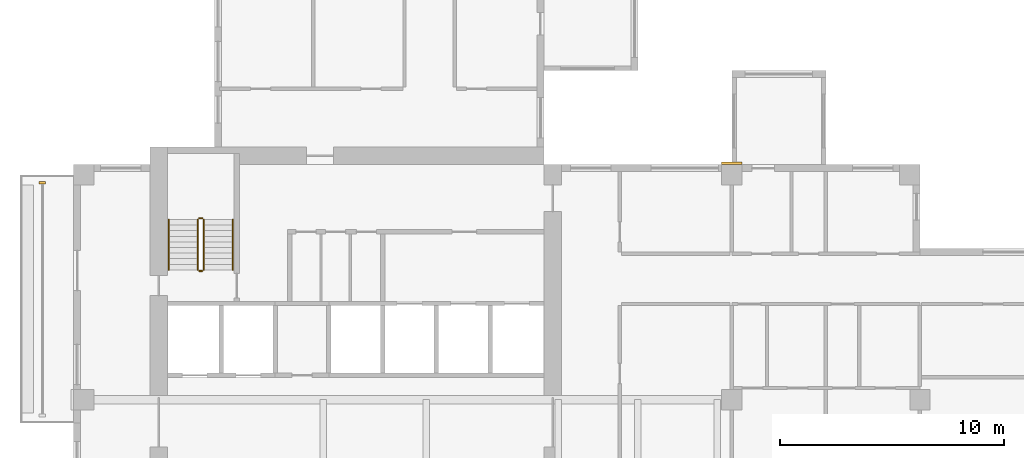
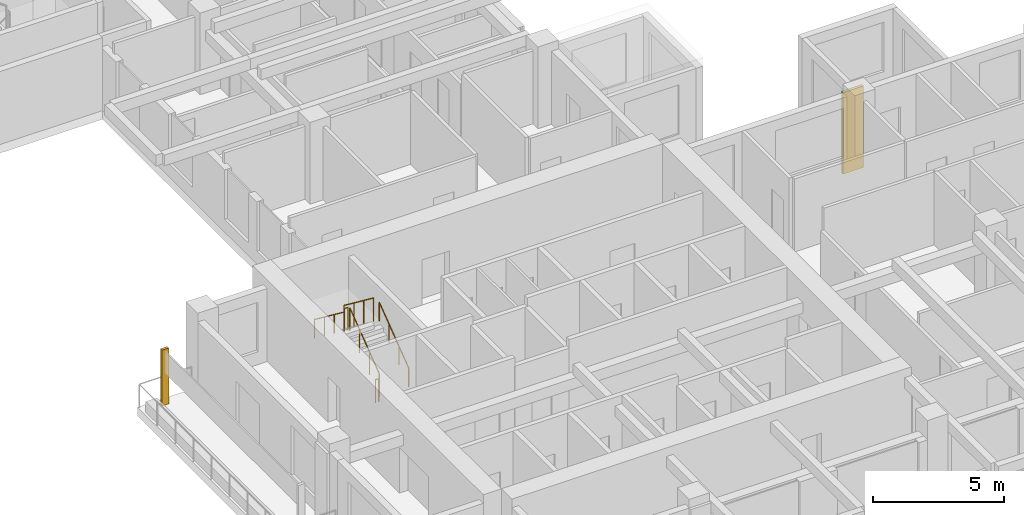
# One storey, part 10 of 12: 6 railings, 2 coverings.
"""IFC4 building model written with IfcOpenShell, lengths in metres."""

from ifc_helpers import new_model, si_unit, direction, frame, origin, origin_2d, place, context, subcontext, project, spatial, rectangle, circle, extrude, source, transform, mapped, material, type_object, element, save


model = new_model("IFC4")

# Units and contexts
model_context = context("Model", 3, precision=1e-05, world=origin(), true_north=direction((0.0, 1.0)))
body_context = subcontext(model_context, "Body", "Model", "MODEL_VIEW")
ifc_project = project(units=[si_unit("LENGTHUNIT", "METRE"), si_unit("AREAUNIT", "SQUARE_METRE"), si_unit("VOLUMEUNIT", "CUBIC_METRE"), si_unit("PLANEANGLEUNIT", "RADIAN"), si_unit("MASSUNIT", "GRAM", prefix="KILO")], contexts=[model_context])

# Site, building, storey
site_placement = place(None, origin())
site = spatial("IfcSite", under=ifc_project, at=site_placement, CompositionType="ELEMENT")
building_placement = place(site_placement, origin())
building = spatial("IfcBuilding", under=site, at=building_placement, Name="Aurelian Terraces", CompositionType="ELEMENT")
storey_placement = place(building_placement, frame((0.0, 0.0, 215.8)))
storey = spatial("IfcBuildingStorey", under=building, at=storey_placement, Name="L48", CompositionType="ELEMENT", Elevation=215.8)

# Coverings
ifc_material_1 = material(Name="Terracotta rainscreen cladding relief", Category="masonry")
covering_type_1 = type_object("IfcCoveringType", Name="FIN-TC", PredefinedType="CLADDING", material=ifc_material_1)
shared_shape_1 = source(origin(), body_context, "Body", "SweptSolid", [
    extrude(rectangle(XDim=0.3, YDim=0.12, at=origin_2d()), origin(), (0.0, 0.0, 1.0), 2.6),
])
covering_1_placement = place(storey_placement, frame((-1.4, 20.2, 0.0), z_axis=(0.0, 0.0, 1.0), x_axis=(1.0, 0.0, 0.0)))
element("IfcCovering", 1, at=covering_1_placement, inside=storey, type_object=covering_type_1, Name="FIN L48 L48-F20-35.1", PredefinedType="CLADDING", context=body_context, shape_type="MappedRepresentation", body=[
    mapped(shared_shape_1, transform((0.0, 0.0, 0.0), scale=1.0)),
])
covering_type_2 = type_object("IfcCoveringType", Name="BAGUETTE-TC", PredefinedType="CLADDING", material=ifc_material_1)
shared_shape_2 = source(origin(), body_context, "Body", "SweptSolid", [
    extrude(rectangle(XDim=0.9, YDim=0.12, at=origin_2d()), origin(), (0.0, 0.0, 1.0), 3.8),
])
covering_2_placement = place(storey_placement, frame((29.4, 21.06, -0.4), z_axis=(0.0, 0.0, 1.0), x_axis=(1.0, 0.0, 0.0)))
element("IfcCovering", 2, at=covering_2_placement, inside=storey, type_object=covering_type_2, Name="BAGUETTE pier L48 5", PredefinedType="CLADDING", context=body_context, shape_type="MappedRepresentation", body=[
    mapped(shared_shape_2, transform((0.0, 0.0, 0.0), scale=1.0)),
])

# Railings
ifc_material_2 = material(Name="Stainless steel", Category="steel")
railing_type_1 = type_object("IfcRailingType", Name="Stair guard 1100", PredefinedType="GUARDRAIL", material=ifc_material_2)
shared_shape_3 = source(origin(), body_context, "Body", "SweptSolid", [
    extrude(circle(Radius=0.024, at=origin_2d()), frame((0.0, 0.0, 1.076), z_axis=(-1.0, 0.0, 0.0), x_axis=(0.0, -1.0, 0.0)), (0.0, 0.0, 1.0), 0.15),
    extrude(circle(Radius=0.021, at=origin_2d()), origin(), (0.0, 0.0, 1.0), 1.052),
    extrude(circle(Radius=0.021, at=origin_2d()), frame((-0.15, 0.0, 0.0)), (0.0, 0.0, 1.0), 1.052),
])
for number, where, name in (
    (3, (5.75, 18.6, 1.9), "L48 S1 stair guard 2"),
    (4, (5.75, 16.25, 0.0), "L48 S1 stair guard 4"),
):
    element("IfcRailing", number, at=place(storey_placement, frame(where)), inside=storey, type_object=railing_type_1, Name=name, PredefinedType="GUARDRAIL", context=body_context, shape_type="MappedRepresentation", body=[
        mapped(shared_shape_3, transform((0.0, 0.0, 0.0), scale=1.0)),
    ])
shared_shape_4 = source(origin(), body_context, "Body", "SweptSolid", [
    extrude(circle(Radius=0.024, at=origin_2d()), frame((0.0, 0.0, 1.076), z_axis=(0.0, 0.796162194123, 0.605083267534), x_axis=(-1.0, 0.0, 0.0)), (0.0, 0.0, 1.0), 2.8261),
    extrude(circle(Radius=0.021, at=origin_2d()), origin(), (0.0, 0.0, 1.0), 1.052),
    extrude(circle(Radius=0.021, at=origin_2d()), frame((0.0, 0.75, 0.57)), (0.0, 0.0, 1.0), 1.052),
    extrude(circle(Radius=0.021, at=origin_2d()), frame((0.0, 1.5, 1.14)), (0.0, 0.0, 1.0), 1.052),
    extrude(circle(Radius=0.021, at=origin_2d()), frame((0.0, 2.25, 1.71)), (0.0, 0.0, 1.0), 1.052),
])
railing_1_placement = place(storey_placement, frame((5.8, 16.3, 0.19)))
element("IfcRailing", 5, at=railing_1_placement, inside=storey, type_object=railing_type_1, Name="L48 S1 stair guard 1", PredefinedType="GUARDRAIL", context=body_context, shape_type="MappedRepresentation", body=[
    mapped(shared_shape_4, transform((0.0, 0.0, 0.0), scale=1.0)),
])
shared_shape_5 = source(origin(), body_context, "Body", "SweptSolid", [
    extrude(circle(Radius=0.024, at=origin_2d()), frame((0.0, 0.0, 1.076), z_axis=(0.0, -0.796162194123, 0.605083267534), x_axis=(1.0, 0.0, 0.0)), (0.0, 0.0, 1.0), 2.8261),
    extrude(circle(Radius=0.021, at=origin_2d()), origin(), (0.0, 0.0, 1.0), 1.052),
    extrude(circle(Radius=0.021, at=origin_2d()), frame((0.0, -0.75, 0.57)), (0.0, 0.0, 1.0), 1.052),
    extrude(circle(Radius=0.021, at=origin_2d()), frame((0.0, -1.5, 1.14)), (0.0, 0.0, 1.0), 1.052),
    extrude(circle(Radius=0.021, at=origin_2d()), frame((0.0, -2.25, 1.71)), (0.0, 0.0, 1.0), 1.052),
])
railing_2_placement = place(storey_placement, frame((5.55, 18.55, 2.09)))
element("IfcRailing", 6, at=railing_2_placement, inside=storey, type_object=railing_type_1, Name="L48 S1 stair guard 3", PredefinedType="GUARDRAIL", context=body_context, shape_type="MappedRepresentation", body=[
    mapped(shared_shape_5, transform((0.0, 0.0, 0.0), scale=1.0)),
])
railing_type_2 = type_object("IfcRailingType", Name="Stair handrail", PredefinedType="HANDRAIL", material=ifc_material_2)
shared_shape_6 = source(origin(), body_context, "Body", "SweptSolid", [
    extrude(circle(Radius=0.024, at=origin_2d()), frame((0.0, 0.0, 0.876), z_axis=(0.0, 0.796162194123, 0.605083267534), x_axis=(-1.0, 0.0, 0.0)), (0.0, 0.0, 1.0), 2.8261),
    extrude(circle(Radius=0.021, at=origin_2d()), origin(), (0.0, 0.0, 1.0), 0.852),
    extrude(circle(Radius=0.021, at=origin_2d()), frame((0.0, 0.75, 0.57)), (0.0, 0.0, 1.0), 0.852),
    extrude(circle(Radius=0.021, at=origin_2d()), frame((0.0, 1.5, 1.14)), (0.0, 0.0, 1.0), 0.852),
    extrude(circle(Radius=0.021, at=origin_2d()), frame((0.0, 2.25, 1.71)), (0.0, 0.0, 1.0), 0.852),
])
railing_3_placement = place(storey_placement, frame((7.1, 16.3, 0.19)))
element("IfcRailing", 7, at=railing_3_placement, inside=storey, type_object=railing_type_2, Name="L48 S1 stair handrail 1", PredefinedType="HANDRAIL", context=body_context, shape_type="MappedRepresentation", body=[
    mapped(shared_shape_6, transform((0.0, 0.0, 0.0), scale=1.0)),
])
shared_shape_7 = source(origin(), body_context, "Body", "SweptSolid", [
    extrude(circle(Radius=0.024, at=origin_2d()), frame((0.0, 0.0, 0.876), z_axis=(0.0, -0.796162194123, 0.605083267534), x_axis=(1.0, 0.0, 0.0)), (0.0, 0.0, 1.0), 2.8261),
    extrude(circle(Radius=0.021, at=origin_2d()), origin(), (0.0, 0.0, 1.0), 0.852),
    extrude(circle(Radius=0.021, at=origin_2d()), frame((0.0, -0.75, 0.57)), (0.0, 0.0, 1.0), 0.852),
    extrude(circle(Radius=0.021, at=origin_2d()), frame((0.0, -1.5, 1.14)), (0.0, 0.0, 1.0), 0.852),
    extrude(circle(Radius=0.021, at=origin_2d()), frame((0.0, -2.25, 1.71)), (0.0, 0.0, 1.0), 0.852),
])
railing_4_placement = place(storey_placement, frame((4.25, 18.55, 2.09)))
element("IfcRailing", 8, at=railing_4_placement, inside=storey, type_object=railing_type_2, Name="L48 S1 stair handrail 2", PredefinedType="HANDRAIL", context=body_context, shape_type="MappedRepresentation", body=[
    mapped(shared_shape_7, transform((0.0, 0.0, 0.0), scale=1.0)),
])

save(model, "model.ifc")
